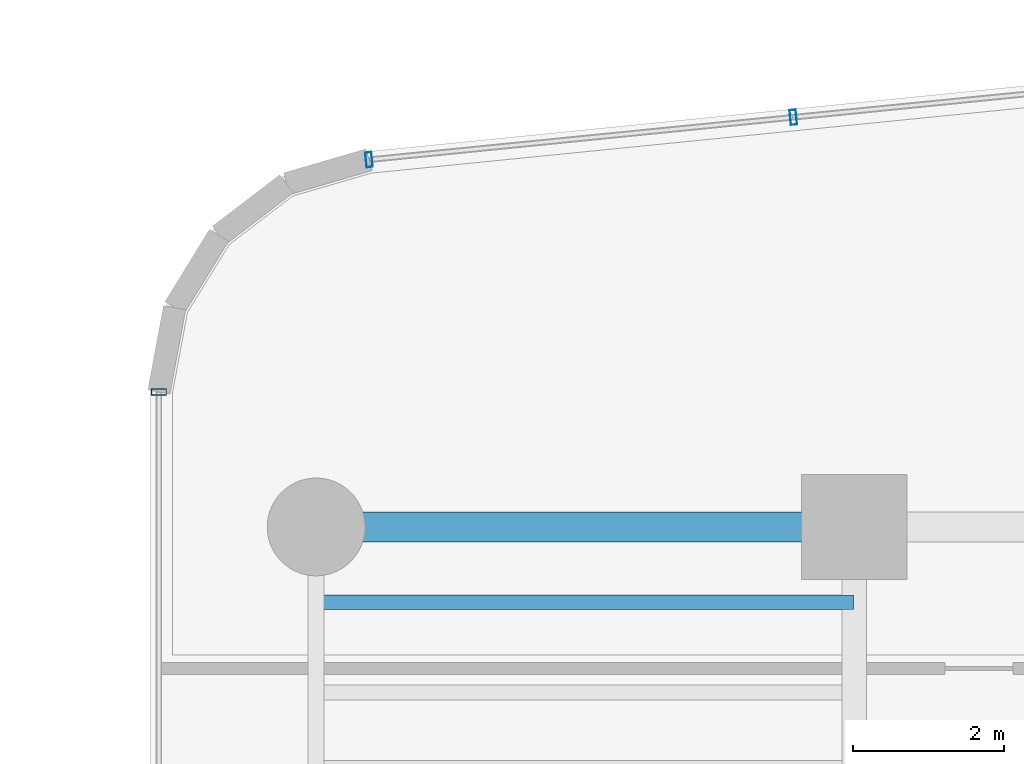
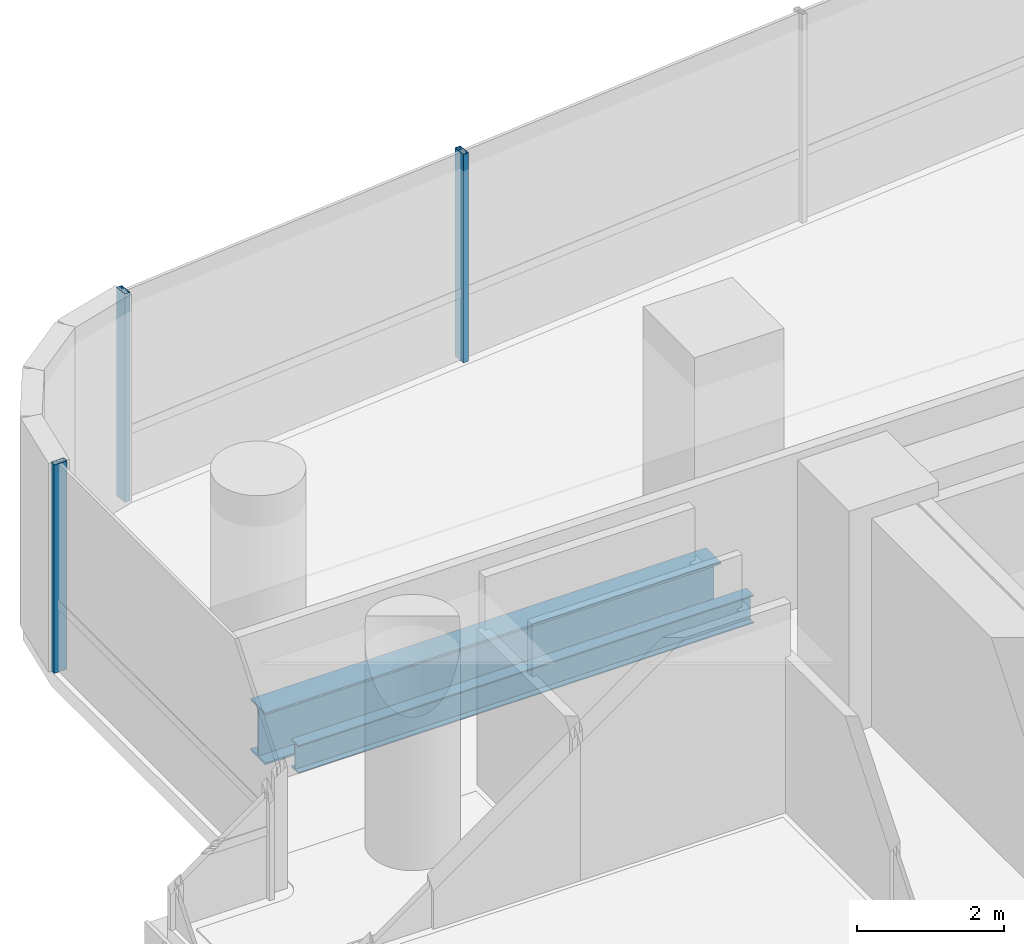
# One storey, part 17 of 39: 3 members, 2 beams, 2 elements without a shape of their own.
"""IFC4 building model written with IfcOpenShell, lengths in metres."""

from ifc_helpers import new_model, si_unit, direction, frame, origin, origin_2d, place, context, subcontext, project, spatial, hollow_rectangle, i_section, extrude, source, transform, mapped, material, material_profile, profile_set, type_object, element, aggregate, save


model = new_model("IFC4")

# Units and contexts
model_context = context("Model", 3, precision=1e-05, world=origin(), true_north=direction((0.0, 1.0)))
body_context = subcontext(model_context, "Body", "Model", "MODEL_VIEW")
ifc_project = project(units=[si_unit("LENGTHUNIT", "METRE"), si_unit("AREAUNIT", "SQUARE_METRE"), si_unit("VOLUMEUNIT", "CUBIC_METRE"), si_unit("PLANEANGLEUNIT", "RADIAN"), si_unit("MASSUNIT", "GRAM", prefix="KILO")], contexts=[model_context])

# Site, building, storey
site_placement = place(None, origin())
site = spatial("IfcSite", under=ifc_project, at=site_placement, CompositionType="ELEMENT")
building_placement = place(site_placement, origin())
building = spatial("IfcBuilding", under=site, at=building_placement, Name="Valdorenza Pilgrim Sanctuary Tower", CompositionType="ELEMENT")
storey_placement = place(building_placement, frame((0.0, 0.0, 70.39990234375)))
storey = spatial("IfcBuildingStorey", under=building, at=storey_placement, Name="L17", CompositionType="ELEMENT", Elevation=70.39990234375)

# Beams
ifc_material_1 = material(Name="Steel ASTM A992 Grade 50", Category="steel")
ifc_material_profile_1 = material_profile(ifc_material_1, i_section(OverallWidth=0.193115234375, OverallDepth=0.466064453125, WebThickness=0.011474609375, FlangeThickness=0.01904296875, at=origin_2d()), Name="W18X65")
ifc_profile_set_1 = profile_set([ifc_material_profile_1], Name="Steel ASTM A992 Grade 50")
beam_type_1 = type_object("IfcBeamType", Name="STR-BM-JST-W18A", PredefinedType="JOIST", material=ifc_profile_set_1)
shared_shape_1 = source(origin(), body_context, "Body", "SweptSolid", [
    extrude(i_section(OverallWidth=0.193115234375, OverallDepth=0.466064453125, WebThickness=0.011474609375, FlangeThickness=0.01904296875, at=origin_2d()), origin(), (0.0, 0.0, 1.0), 7.150146484375),
])
beam_1_placement = place(storey_placement, frame((-29.800048828125, 13.800048828125, -0.472900390625), z_axis=(1.0, 0.0, 0.0), x_axis=(0.0, 1.0, 0.0)))
element("IfcBeam", 1, at=beam_1_placement, inside=storey, type_object=beam_type_1, Name="L17 Composite Floor Joist JST-WA-26", PredefinedType="JOIST", context=body_context, shape_type="MappedRepresentation", body=[
    mapped(shared_shape_1, transform((0.0, 0.0, 0.0), x_axis=(1.0, 0.0, 0.0), y_axis=(0.0, 1.0, 0.0), z_axis=(0.0, 0.0, 1.0), scale=1.0)),
])
ifc_material_profile_2 = material_profile(ifc_material_1, i_section(OverallWidth=0.39990234375, OverallDepth=0.862060546875, WebThickness=0.019775390625, FlangeThickness=0.032470703125, at=origin_2d()), Name="W33X221")
ifc_profile_set_2 = profile_set([ifc_material_profile_2], Name="Steel ASTM A992 Grade 50")
beam_type_2 = type_object("IfcBeamType", Name="STR-BM-GRD-W33", PredefinedType="BEAM", material=ifc_profile_set_2)
shared_shape_2 = source(origin(), body_context, "Body", "SweptSolid", [
    extrude(i_section(OverallWidth=0.39990234375, OverallDepth=0.862060546875, WebThickness=0.019775390625, FlangeThickness=0.032470703125, at=origin_2d()), origin(), (0.0, 0.0, 1.0), 7.150146484375),
])
beam_2_placement = place(storey_placement, frame((-29.800048828125, 14.800048828125, -0.6708984375), z_axis=(1.0, 0.0, 0.0), x_axis=(0.0, 1.0, 0.0)))
element("IfcBeam", 2, at=beam_2_placement, inside=storey, type_object=beam_type_2, Name="L17 Floor Girder WA-XW-N2", PredefinedType="BEAM", context=body_context, shape_type="MappedRepresentation", body=[
    mapped(shared_shape_2, transform((0.0, 0.0, 0.0), x_axis=(1.0, 0.0, 0.0), y_axis=(0.0, 1.0, 0.0), z_axis=(0.0, 0.0, 1.0), scale=1.0)),
])

# Curtain wall, member
ifc_material_2 = material(Name="Curtain-wall IGU glazing", Category="glass")
curtain_wall_type = type_object("IfcCurtainWallType", Name="CW-SYS-02", PredefinedType="NOTDEFINED", material=ifc_material_2)
curtain_wall_1_placement = place(storey_placement, origin())
curtain_wall_1 = element("IfcCurtainWall", 3, at=curtain_wall_1_placement, inside=storey, type_object=curtain_wall_type, Name="L17 Curtain Wall CW-L17-1-1S2", PredefinedType="NOTDEFINED")
ifc_material_3 = material(Name="Anodised aluminium AW-6060", Category="aluminium")
ifc_material_profile_3 = material_profile(ifc_material_3, hollow_rectangle(XDim=0.0849609375, YDim=0.199951171875, WallThickness=0.0048828125, at=origin_2d()), Name="ALU-M 200x85x5")
ifc_profile_set_3 = profile_set([ifc_material_profile_3], Name="Anodised aluminium AW-6060")
member_type = type_object("IfcMemberType", Name="CW-MUL-02", PredefinedType="MULLION", material=ifc_profile_set_3)
shared_shape_3 = source(origin(), body_context, "Body", "SweptSolid", [
    extrude(hollow_rectangle(XDim=0.0849609375, YDim=0.199951171875, WallThickness=0.0048828125, at=origin_2d()), origin(), (0.0, 0.0, 1.0), 3.460205078125),
])
member_1_placement = place(storey_placement, frame((-31.889892578125, 16.593994140625, 0.0), z_axis=(0.0, 0.0, 1.0), x_axis=(0.0, 1.0, 0.0)))
member_1 = element("IfcMember", 4, at=member_1_placement, type_object=member_type, Name="CW-L17-1-1S2 Mullion 2", PredefinedType="MULLION", context=body_context, shape_type="MappedRepresentation", body=[
    mapped(shared_shape_3, transform((0.0, 0.0, 0.0), x_axis=(1.0, 0.0, 0.0), y_axis=(0.0, 1.0, 0.0), z_axis=(0.0, 0.0, 1.0), scale=1.0)),
])
aggregate(curtain_wall_1, [member_1])

# Curtain wall, members
curtain_wall_2_placement = place(storey_placement, origin())
curtain_wall_2 = element("IfcCurtainWall", 5, at=curtain_wall_2_placement, inside=storey, type_object=curtain_wall_type, Name="L17 Curtain Wall CW-L17-1-6", PredefinedType="NOTDEFINED")
member_2_placement = place(storey_placement, frame((-29.097412109375, 19.6796875, 0.0), z_axis=(0.0, 0.0, 1.0), x_axis=(0.995038220239, 0.099493418189, 0.0)))
member_2 = element("IfcMember", 6, at=member_2_placement, type_object=member_type, Name="CW-L17-1-6 Mullion 1", PredefinedType="MULLION", context=body_context, shape_type="MappedRepresentation", body=[
    mapped(shared_shape_3, transform((0.0, 0.0, 0.0), x_axis=(1.0, 0.0, 0.0), y_axis=(0.0, 1.0, 0.0), z_axis=(0.0, 0.0, 1.0), scale=1.0)),
])
member_3_placement = place(storey_placement, frame((-23.458984375, 20.24365234375, 0.0), z_axis=(0.0, 0.0, 1.0), x_axis=(0.995038220239, 0.099493418189, 0.0)))
member_3 = element("IfcMember", 7, at=member_3_placement, type_object=member_type, Name="CW-L17-1-6 Mullion 2", PredefinedType="MULLION", context=body_context, shape_type="MappedRepresentation", body=[
    mapped(shared_shape_3, transform((0.0, 0.0, 0.0), x_axis=(1.0, 0.0, 0.0), y_axis=(0.0, 1.0, 0.0), z_axis=(0.0, 0.0, 1.0), scale=1.0)),
])
aggregate(curtain_wall_2, [member_2, member_3])

save(model, "model.ifc")
